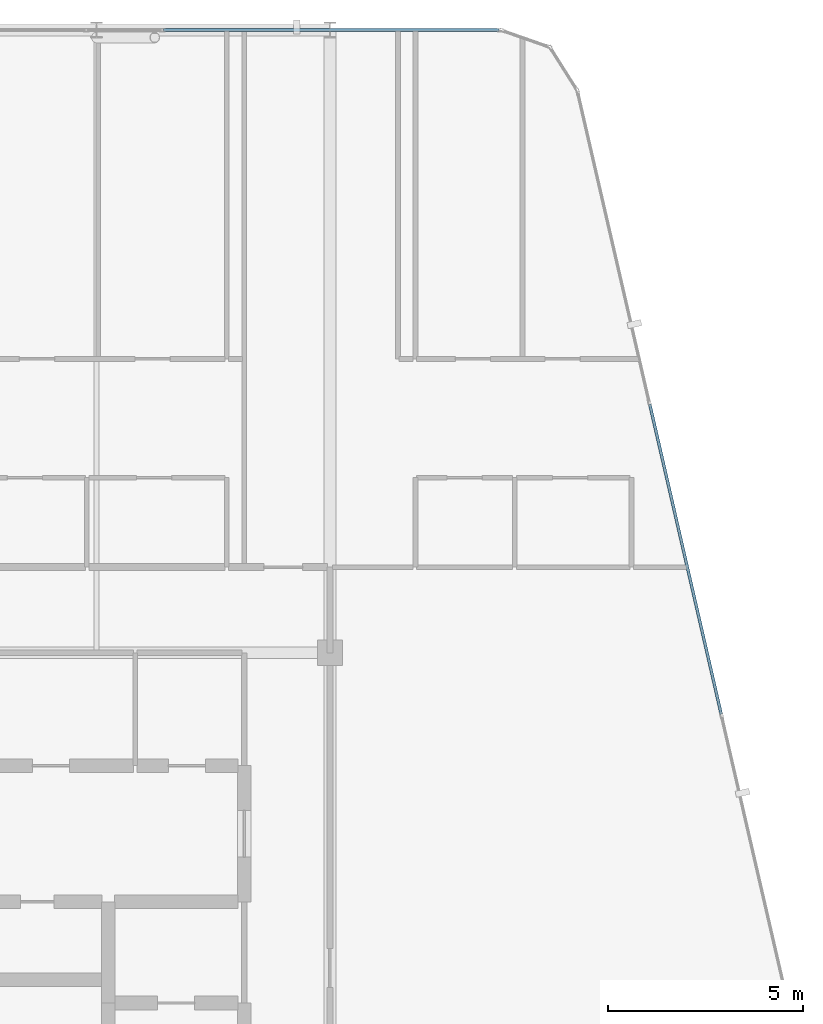
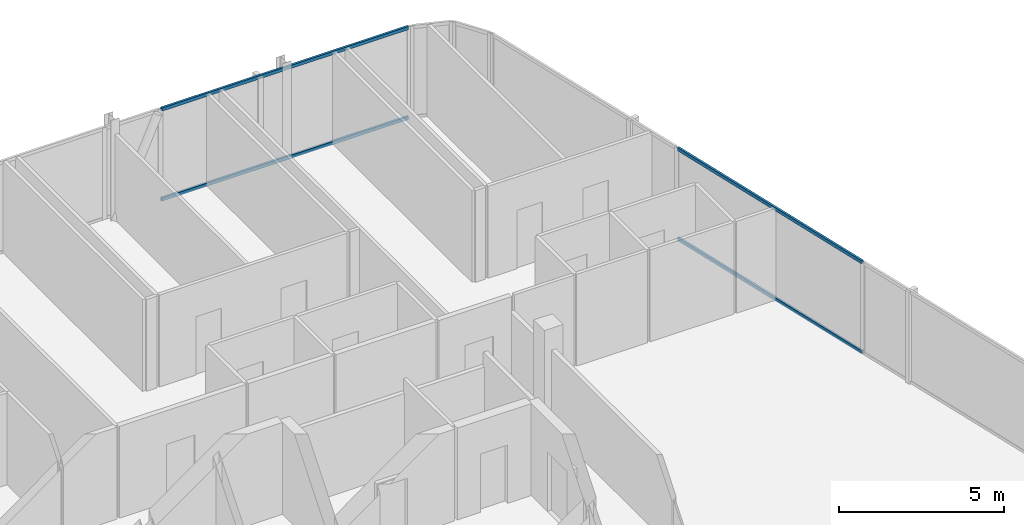
# One storey, part 18 of 27: 4 members, 2 elements without a shape of their own.
"""IFC4 building model written with IfcOpenShell, lengths in metres."""

import ifcopenshell
import ifcopenshell.guid

model = None  # the IFC model being written
_history = None  # IfcOwnerHistory: only IFC2X3 demands one
_inside = {}  # id of a spatial element -> (the spatial element, [elements in it])
_under = {}  # id of a project, library or spatial element -> (it, [spatial elements below it])
_declared = {}  # id of a project -> (the project, [libraries it declares])
_typed = {}  # id of a type object -> (the type object, [elements of that type])
_made_of = {}  # id of a material, layer set ... -> (it, [elements and type objects made of it])


def new_model(schema):
    """Start an empty IFC model of exactly this schema.

    Asked for "IFC4X3", IfcOpenShell would pick the latest addendum, in which some entities
    have other attributes; the version numbers below select the first issue.
    IFC2X3 requires an IfcOwnerHistory on every rooted entity: one is made here for all.
    """
    global model, _history
    if schema == "IFC4X3":
        model = ifcopenshell.file(schema_version=(4, 3, 0, 0))
    else:
        model = ifcopenshell.file(schema=schema)
    _inside.clear()
    _under.clear()
    _declared.clear()
    _typed.clear()
    _made_of.clear()
    _history = None
    if model.schema == "IFC2X3":
        org = make("IfcOrganization", Name="unknown")
        user = make(
            "IfcPersonAndOrganization",
            ThePerson=make("IfcPerson", FamilyName="unknown"),
            TheOrganization=org,
        )
        app = make(
            "IfcApplication",
            ApplicationDeveloper=org,
            Version="unknown",
            ApplicationFullName="unknown",
            ApplicationIdentifier="unknown",
        )
        _history = make(
            "IfcOwnerHistory",
            OwningUser=user,
            OwningApplication=app,
            ChangeAction="ADDED",
            CreationDate=0,
        )
    return model


def make(cls, **values):
    """One entity of the class cls with the attributes given. An attribute that is None is left unset."""
    return model.create_entity(
        cls, **{name: value for name, value in values.items() if value is not None}
    )


def rooted(cls, **values):
    """An entity with a GlobalId (a new one), such as an element, a storey or a relation."""
    return make(cls, GlobalId=ifcopenshell.guid.new(), OwnerHistory=_history, **values)


def si_unit(unit_type, name, prefix=None):
    """IfcSIUnit, for example si_unit("LENGTHUNIT", "METRE", prefix="MILLI")."""
    return make("IfcSIUnit", UnitType=unit_type, Prefix=prefix, Name=name)


def assignment(units):
    """IfcUnitAssignment: the units of a project."""
    return None if units is None else make("IfcUnitAssignment", Units=units)


def point(xyz):
    """IfcCartesianPoint."""
    return None if xyz is None else make("IfcCartesianPoint", Coordinates=xyz)


def direction(xyz):
    """IfcDirection."""
    return None if xyz is None else make("IfcDirection", DirectionRatios=xyz)


def frame(location, z_axis=None, x_axis=None):
    """IfcAxis2Placement3D, a coordinate frame: its origin and axes. An axis left out is left unset."""
    return make(
        "IfcAxis2Placement3D",
        Location=point(location),
        Axis=direction(z_axis),
        RefDirection=direction(x_axis),
    )


def frame_2d(location, x_axis=None):
    """IfcAxis2Placement2D, a coordinate frame in the plane: its origin and x axis."""
    return make(
        "IfcAxis2Placement2D", Location=point(location), RefDirection=direction(x_axis)
    )


def origin():
    """The frame at (0, 0, 0) with its axes left unset."""
    return frame((0.0, 0.0, 0.0))


def origin_2d():
    """The frame at (0, 0) in the plane with its x axis left unset."""
    return frame_2d((0.0, 0.0))


def place(relative_to, where):
    """IfcLocalPlacement: puts the frame where relative to a parent placement (None: the world)."""
    return make(
        "IfcLocalPlacement", PlacementRelTo=relative_to, RelativePlacement=where
    )


def context(
    kind, dimensions, precision=None, world=None, true_north=None, identifier=None
):
    """IfcGeometricRepresentationContext, for example the 3D "Model" context."""
    return make(
        "IfcGeometricRepresentationContext",
        ContextIdentifier=identifier,
        ContextType=kind,
        CoordinateSpaceDimension=dimensions,
        Precision=precision,
        WorldCoordinateSystem=world,
        TrueNorth=true_north,
    )


def subcontext(parent, identifier, kind, view, scale=None):
    """IfcGeometricRepresentationSubContext, for example "Body" below "Model"."""
    return make(
        "IfcGeometricRepresentationSubContext",
        ContextIdentifier=identifier,
        ContextType=kind,
        ParentContext=parent,
        TargetScale=scale,
        TargetView=view,
    )


def project(units=None, contexts=None):
    """IfcProject with its units and contexts."""
    return rooted(
        "IfcProject",
        Name="project",
        RepresentationContexts=contexts,
        UnitsInContext=assignment(units),
    )


def spatial(cls, under=None, at=None, **own):
    """A site, building, storey or space (cls), placed at a placement, below another one or the project."""
    s = rooted(cls, ObjectPlacement=at, **own)
    if under is not None:
        _under.setdefault(under.id(), (under, []))[1].append(s)
    return s


def profile(cls, at=None, kind="AREA", **sizes):
    """A parametric profile (cls). Its sizes go by their IFC names, for example OverallWidth=200.0."""
    return make(cls, ProfileType=kind, Position=at, **sizes)


def hollow_rectangle(**sizes):
    """IfcRectangleHollowProfileDef."""
    return profile("IfcRectangleHollowProfileDef", **sizes)


def extrude(swept, where, along, depth):
    """IfcExtrudedAreaSolid: the profile swept, set in the frame where, extruded along a direction by depth."""
    return make(
        "IfcExtrudedAreaSolid",
        SweptArea=swept,
        Position=where,
        ExtrudedDirection=direction(along),
        Depth=depth,
    )


def shape(context_of_items, identifier, shape_type, items):
    """IfcShapeRepresentation: the items that make up one representation, for example the "Body"."""
    return make(
        "IfcShapeRepresentation",
        ContextOfItems=context_of_items,
        RepresentationIdentifier=identifier,
        RepresentationType=shape_type,
        Items=items,
    )


def material(Name=None, Category=None):
    """IfcMaterial."""
    return make("IfcMaterial", Name=Name, Category=Category)


def layer(
    of_material, thickness, ventilated=None, Name=None, Category=None, Priority=None
):
    """IfcMaterialLayer: one layer of a wall or slab, of a material (None: an air gap)."""
    return make(
        "IfcMaterialLayer",
        Material=of_material,
        LayerThickness=thickness,
        IsVentilated=ventilated,
        Name=Name,
        Category=Category,
        Priority=Priority,
    )


def layer_set(layers, Name=None):
    """IfcMaterialLayerSet."""
    return make("IfcMaterialLayerSet", MaterialLayers=layers, LayerSetName=Name)


def material_profile(
    of_material, cross_section, Name=None, Category=None, Priority=None
):
    """IfcMaterialProfile: a cross section and its material."""
    return make(
        "IfcMaterialProfile",
        Name=Name,
        Material=of_material,
        Profile=cross_section,
        Priority=Priority,
        Category=Category,
    )


def profile_set(profiles, Name=None, composite=None):
    """IfcMaterialProfileSet."""
    return make(
        "IfcMaterialProfileSet",
        Name=Name,
        MaterialProfiles=profiles,
        CompositeProfile=composite,
    )


def made_of(thing, what):
    """Note that an element or type object is made of a material, layer set ...; save() writes the relation."""
    if what is not None:
        _made_of.setdefault(what.id(), (what, []))[1].append(thing)
    return thing


def type_object(cls, material=None, **own):
    """A type object (cls), such as IfcWallType, which elements share."""
    return made_of(rooted(cls, **own), material)


def element(
    cls,
    number,
    at=None,
    inside=None,
    cuts=None,
    type_object=None,
    material=None,
    context=None,
    identifier="Body",
    shape_type=None,
    held_by="IfcProductDefinitionShape",
    body=None,
    shapes=None,
    **own,
):
    """One element of the class cls, such as IfcWall. Its Tag is "e" and its number.

    at: its placement. inside: the storey or other place that contains it. cuts: it is an
    opening in that element (IfcRelVoidsElement). A single representation is given by context,
    identifier, shape_type and body (its items); several are given by shapes. held_by: the class
    of the entity that holds the representations. save() writes the other relations.
    """
    e = rooted(cls, Tag="e%d" % number, ObjectPlacement=at, **own)
    if body is not None:
        shapes = [shape(context, identifier, shape_type, body)]
    if shapes is not None:
        e.Representation = make(held_by, Representations=shapes)
    if inside is not None:
        _inside.setdefault(inside.id(), (inside, []))[1].append(e)
    if cuts is not None:
        rooted(
            "IfcRelVoidsElement", RelatingBuildingElement=cuts, RelatedOpeningElement=e
        )
    if type_object is not None:
        _typed.setdefault(type_object.id(), (type_object, []))[1].append(e)
    return made_of(e, material)


def aggregate(whole, parts):
    """IfcRelAggregates: a whole, such as a stair, and the parts it consists of."""
    return rooted("IfcRelAggregates", RelatingObject=whole, RelatedObjects=parts)


def save(model, path):
    """Write the relations noted so far, then the file.

    IfcRelAggregates (storeys below a building ...), IfcRelContainedInSpatialStructure (elements
    in a storey), IfcRelDefinesByType, IfcRelAssociatesMaterial and IfcRelDeclares: one each for
    every whole, place, type object, material and project.
    """
    for whole, parts in _under.values():
        aggregate(whole, parts)
    for where, things in _inside.values():
        rooted(
            "IfcRelContainedInSpatialStructure",
            RelatedElements=things,
            RelatingStructure=where,
        )
    for kind, things in _typed.values():
        rooted("IfcRelDefinesByType", RelatedObjects=things, RelatingType=kind)
    for what, things in _made_of.values():
        rooted("IfcRelAssociatesMaterial", RelatedObjects=things, RelatingMaterial=what)
    for by, libraries in _declared.values():
        rooted("IfcRelDeclares", RelatingContext=by, RelatedDefinitions=libraries)
    model.write(path)


model = new_model("IFC4")

# Units and contexts
model_context = context("Model", 3, precision=1e-05, world=origin(), true_north=direction((0.0, 1.0)))
body_context = subcontext(model_context, "Body", "Model", "MODEL_VIEW")
ifc_project = project(units=[si_unit("LENGTHUNIT", "METRE"), si_unit("AREAUNIT", "SQUARE_METRE"), si_unit("VOLUMEUNIT", "CUBIC_METRE"), si_unit("PLANEANGLEUNIT", "RADIAN"), si_unit("MASSUNIT", "GRAM", prefix="KILO")], contexts=[model_context])

# Site, building, storey
site_placement = place(None, origin())
site = spatial("IfcSite", under=ifc_project, at=site_placement, CompositionType="ELEMENT")
building_placement = place(site_placement, origin())
building = spatial("IfcBuilding", under=site, at=building_placement, Name="Keshet Zoharim Tower", CompositionType="ELEMENT")
storey_placement = place(building_placement, frame((0.0, 0.0, 288.0)))
storey = spatial("IfcBuildingStorey", under=building, at=storey_placement, Name="L72", CompositionType="ELEMENT", Elevation=288.0)

# Curtain wall, members
ifc_material = material(Name="Aluminium 6063-T6", Category="aluminium")
ifc_layer = layer(ifc_material, 0.260009765625)
ifc_layer_set = layer_set([ifc_layer], Name="Aluminium 6063-T6")
curtain_wall_type = type_object("IfcCurtainWallType", Name="CW-SYS-06", PredefinedType="NOTDEFINED", material=ifc_layer_set)
curtain_wall_1_placement = place(storey_placement, origin())
curtain_wall_1 = element("IfcCurtainWall", 1, at=curtain_wall_1_placement, inside=storey, type_object=curtain_wall_type, Name="L72 Unitised Curtain Wall 06 Part 5", PredefinedType="NOTDEFINED")
ifc_material_profile = material_profile(ifc_material, hollow_rectangle(XDim=0.074951171875, YDim=0.1201171875, WallThickness=0.00390625, at=origin_2d()), Name="TRN-75x120")
ifc_profile_set = profile_set([ifc_material_profile], Name="Aluminium 6063-T6")
member_type = type_object("IfcMemberType", Name="CWT-T12", PredefinedType="USERDEFINED", material=ifc_profile_set)
member_1_placement = place(storey_placement, frame((28.724853515625, 53.89990234375, 0.034912109375), z_axis=(1.0, 0.0, 0.0), x_axis=(0.0, 1.0, 0.0)))
member_1 = element("IfcMember", 2, at=member_1_placement, type_object=member_type, Name="CW-06 transom 1.1", ObjectType="TRANSOM", PredefinedType="USERDEFINED", context=body_context, shape_type="SweptSolid", body=[
    extrude(hollow_rectangle(XDim=0.074951171875, YDim=0.1201171875, WallThickness=0.00390625, at=origin_2d()), origin(), (0.0, 0.0, 1.0), 8.6142578125),
])
member_2_placement = place(storey_placement, frame((28.724853515625, 53.89990234375, 3.35498046875), z_axis=(1.0, 0.0, 0.0), x_axis=(0.0, 1.0, 0.0)))
member_2 = element("IfcMember", 3, at=member_2_placement, type_object=member_type, Name="CW-06 transom 1.2", ObjectType="TRANSOM", PredefinedType="USERDEFINED", context=body_context, shape_type="SweptSolid", body=[
    extrude(hollow_rectangle(XDim=0.074951171875, YDim=0.1201171875, WallThickness=0.00390625, at=origin_2d()), origin(), (0.0, 0.0, 1.0), 8.6142578125),
])
aggregate(curtain_wall_1, [member_1, member_2])

curtain_wall_2_placement = place(storey_placement, origin())
curtain_wall_2 = element("IfcCurtainWall", 4, at=curtain_wall_2_placement, inside=storey, type_object=curtain_wall_type, Name="L72 Unitised Curtain Wall 09", PredefinedType="NOTDEFINED")
member_3_placement = place(storey_placement, frame((41.218505859375, 44.28662109375, 0.034912109375), z_axis=(0.224826771459, -0.974398749402, 0.0), x_axis=(0.974398749402, 0.224826771459, 0.0)))
member_3 = element("IfcMember", 5, at=member_3_placement, type_object=member_type, Name="CW-06 transom 2.1", ObjectType="TRANSOM", PredefinedType="USERDEFINED", context=body_context, shape_type="SweptSolid", body=[
    extrude(hollow_rectangle(XDim=0.074951171875, YDim=0.1201171875, WallThickness=0.00390625, at=origin_2d()), origin(), (0.0, 0.0, 1.0), 8.17041015625),
])
member_4_placement = place(storey_placement, frame((41.218505859375, 44.28662109375, 3.35498046875), z_axis=(0.224826771459, -0.974398749402, 0.0), x_axis=(0.974398749402, 0.224826771459, 0.0)))
member_4 = element("IfcMember", 6, at=member_4_placement, type_object=member_type, Name="CW-06 transom 2.2", ObjectType="TRANSOM", PredefinedType="USERDEFINED", context=body_context, shape_type="SweptSolid", body=[
    extrude(hollow_rectangle(XDim=0.074951171875, YDim=0.1201171875, WallThickness=0.00390625, at=origin_2d()), origin(), (0.0, 0.0, 1.0), 8.17041015625),
])
aggregate(curtain_wall_2, [member_3, member_4])

save(model, "model.ifc")
